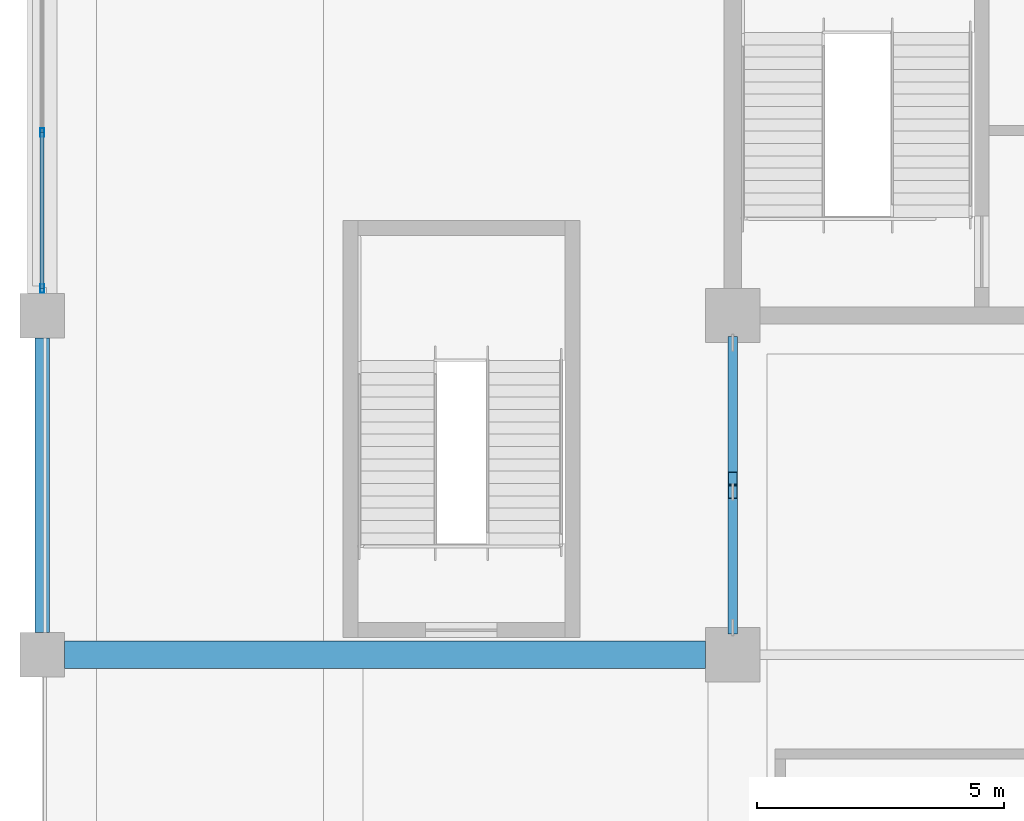
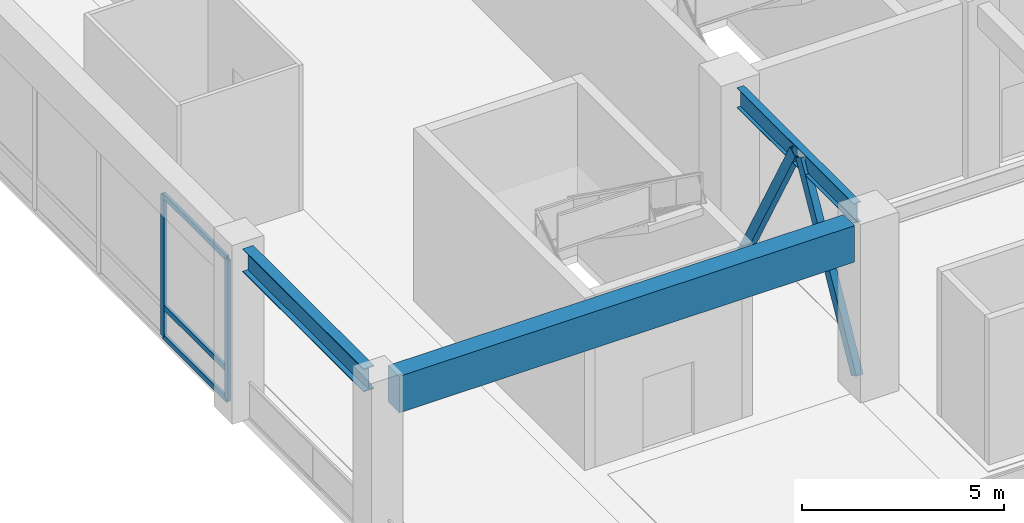
# One storey, part 30 of 117: 7 members, 3 beams, 1 element without a shape of its own.
"""IFC4 building model written with IfcOpenShell, lengths in metres."""

from ifc_helpers import new_model, si_unit, direction, frame, origin, origin_2d, place, context, subcontext, project, spatial, rectangle, hollow_rectangle, i_section, extrude, material, material_profile, profile_set, type_object, element, aggregate, save


model = new_model("IFC4")

# Units and contexts
model_context = context("Model", 3, precision=1e-05, world=origin(), true_north=direction((0.0, 1.0)))
body_context = subcontext(model_context, "Body", "Model", "MODEL_VIEW")
ifc_project = project(units=[si_unit("LENGTHUNIT", "METRE"), si_unit("AREAUNIT", "SQUARE_METRE"), si_unit("VOLUMEUNIT", "CUBIC_METRE"), si_unit("PLANEANGLEUNIT", "RADIAN"), si_unit("MASSUNIT", "GRAM", prefix="KILO")], contexts=[model_context])

# Site, building, storey
site_placement = place(None, origin())
site = spatial("IfcSite", under=ifc_project, at=site_placement, CompositionType="ELEMENT")
building_placement = place(site_placement, origin())
building = spatial("IfcBuilding", under=site, at=building_placement, Name="Linyun Crest Stadium", CompositionType="ELEMENT")
storey_placement = place(building_placement, frame((0.0, 0.0, 6.0)))
storey = spatial("IfcBuildingStorey", under=building, at=storey_placement, Name="L02", CompositionType="ELEMENT", Elevation=6.0)

# Beams
ifc_material_1 = material(Name="Steel Q355C", Category="steel")
ifc_material_profile_1 = material_profile(ifc_material_1, i_section(OverallWidth=0.199951171875, OverallDepth=0.60009765625, WebThickness=0.010986328125, FlangeThickness=0.01708984375, at=origin_2d()), Name="HN 600x200")
ifc_profile_set_1 = profile_set([ifc_material_profile_1], Name="Steel Q355C")
beam_type_1 = type_object("IfcBeamType", Name="B11", PredefinedType="BEAM", material=ifc_profile_set_1)
beam_1_placement = place(storey_placement, frame((-84.0, -45.449951171875, 4.89990234375), z_axis=(0.0, 1.0, 0.0), x_axis=(-1.0, 0.0, 0.0)))
element("IfcBeam", 1, at=beam_1_placement, inside=storey, type_object=beam_type_1, Name="Frame beam B11 L02 205", PredefinedType="BEAM", context=body_context, shape_type="SweptSolid", body=[
    extrude(i_section(OverallWidth=0.199951171875, OverallDepth=0.60009765625, WebThickness=0.010986328125, FlangeThickness=0.01708984375, at=origin_2d()), origin(), (0.0, 0.0, 1.0), 5.77490234375),
])
ifc_material_2 = material(Name="Steel Q355C", Category="steel")
ifc_material_profile_2 = material_profile(ifc_material_2, i_section(OverallWidth=0.300048828125, OverallDepth=0.699951171875, WebThickness=0.012939453125, FlangeThickness=0.02392578125, at=origin_2d()), Name="HN 700x300")
ifc_profile_set_2 = profile_set([ifc_material_profile_2], Name="Steel Q355C")
beam_type_2 = type_object("IfcBeamType", Name="B12", PredefinedType="BEAM", material=ifc_profile_set_2)
beam_2_placement = place(storey_placement, frame((-98.0, -45.550048828125, 4.85009765625), z_axis=(0.0, 1.0, 0.0), x_axis=(-1.0, 0.0, 0.0)))
element("IfcBeam", 2, at=beam_2_placement, inside=storey, type_object=beam_type_2, Name="Frame beam B12 L02 198", PredefinedType="BEAM", context=body_context, shape_type="SweptSolid", body=[
    extrude(i_section(OverallWidth=0.300048828125, OverallDepth=0.699951171875, WebThickness=0.012939453125, FlangeThickness=0.02392578125, at=origin_2d()), origin(), (0.0, 0.0, 1.0), 5.97509765625),
])

# Members
ifc_material_3 = material(Name="Steel Q355C", Category="steel")
ifc_material_profile_3 = material_profile(ifc_material_3, hollow_rectangle(XDim=0.199951171875, YDim=0.300048828125, WallThickness=0.011962890625, at=origin_2d()), Name="RHS 300x200x12")
ifc_profile_set_3 = profile_set([ifc_material_profile_3], Name="Steel Q355C")
member_type_1 = type_object("IfcMemberType", Name="BR03", PredefinedType="BRACE", material=ifc_profile_set_3)
member_1_placement = place(storey_placement, frame((-84.0, -45.449951171875, 0.0), z_axis=(0.0, 0.486887471592, 0.8734647045), x_axis=(-1.0, 0.0, 0.0)))
element("IfcMember", 3, at=member_1_placement, inside=storey, type_object=member_type_1, Name="Frame brace BR03 L02 3", PredefinedType="BRACE", context=body_context, shape_type="SweptSolid", body=[
    extrude(hollow_rectangle(XDim=0.199951171875, YDim=0.300048828125, WallThickness=0.011962890625, at=origin_2d()), origin(), (0.0, 0.0, 1.0), 5.64404296875),
])
member_2_placement = place(storey_placement, frame((-84.0, -39.675048828125, 0.0), z_axis=(0.0, -0.486755448437, 0.873538283887), x_axis=(1.0, 0.0, 0.0)))
element("IfcMember", 4, at=member_2_placement, inside=storey, type_object=member_type_1, Name="Frame brace BR03 L02 4", PredefinedType="BRACE", context=body_context, shape_type="SweptSolid", body=[
    extrude(hollow_rectangle(XDim=0.199951171875, YDim=0.300048828125, WallThickness=0.011962890625, at=origin_2d()), origin(), (0.0, 0.0, 1.0), 5.6435546875),
])

# Curtain wall, members
ifc_material_4 = material(Name="Verdigris steel and low-E curtain wall assembly", Category="steel")
curtain_wall_type = type_object("IfcCurtainWallType", Name="MCW01", PredefinedType="NOTDEFINED", material=ifc_material_4)
curtain_wall_placement = place(storey_placement, origin())
curtain_wall = element("IfcCurtainWall", 5, at=curtain_wall_placement, inside=storey, type_object=curtain_wall_type, Name="CWR-073", PredefinedType="NOTDEFINED")
ifc_material_5 = material(Name="Verdigris painted steel Q355B mullion", Category="steel")
ifc_material_profile_4 = material_profile(ifc_material_5, hollow_rectangle(XDim=0.080078125, YDim=0.179931640625, WallThickness=0.006103515625, at=origin_2d()), Name="RHS 180x80x6")
ifc_profile_set_4 = profile_set([ifc_material_profile_4], Name="Verdigris painted steel Q355B mullion")
member_type_2 = type_object("IfcMemberType", Name="ML02", PredefinedType="MULLION", material=ifc_profile_set_4)
member_3_placement = place(storey_placement, frame((-98.0, -38.574951171875, 0.0), z_axis=(0.0, 0.0, 1.0), x_axis=(-1.0, 0.0, 0.0)))
member_3 = element("IfcMember", 6, at=member_3_placement, type_object=member_type_2, Name="CWR-073 mullion 1", PredefinedType="MULLION", context=body_context, shape_type="SweptSolid", body=[
    extrude(hollow_rectangle(XDim=0.080078125, YDim=0.179931640625, WallThickness=0.006103515625, at=origin_2d()), origin(), (0.0, 0.0, 1.0), 4.25),
])
member_4_placement = place(storey_placement, frame((-98.0, -35.412109375, 0.0), z_axis=(0.0, 0.0, 1.0), x_axis=(-1.0, 0.0, 0.0)))
member_4 = element("IfcMember", 7, at=member_4_placement, type_object=member_type_2, Name="CWR-073 mullion 2", PredefinedType="MULLION", context=body_context, shape_type="SweptSolid", body=[
    extrude(hollow_rectangle(XDim=0.080078125, YDim=0.179931640625, WallThickness=0.006103515625, at=origin_2d()), origin(), (0.0, 0.0, 1.0), 4.25),
])

# Beam
ifc_material_6 = material(Name="Concrete C50", Category="concrete")
ifc_material_profile_5 = material_profile(ifc_material_6, rectangle(XDim=0.550048828125, YDim=1.10009765625, at=origin_2d()), Name="RCB 1100x550")
ifc_profile_set_5 = profile_set([ifc_material_profile_5], Name="Concrete C50")
beam_type_3 = type_object("IfcBeamType", Name="TB01", PredefinedType="USERDEFINED", material=ifc_profile_set_5)
beam_3_placement = place(storey_placement, frame((-97.550048828125, -46.0, 4.64990234375), z_axis=(1.0, 0.0, 0.0), x_axis=(0.0, 1.0, 0.0)))
element("IfcBeam", 8, at=beam_3_placement, inside=storey, type_object=beam_type_3, Name="Frame beam TB01 L02 169", ObjectType="GIRDER", PredefinedType="USERDEFINED", context=body_context, shape_type="SweptSolid", body=[
    extrude(rectangle(XDim=0.550048828125, YDim=1.10009765625, at=origin_2d()), origin(), (0.0, 0.0, 1.0), 13.0),
])

# Member
ifc_material_7 = material(Name="Aluminium thermally broken transom", Category="aluminium")
ifc_material_profile_6 = material_profile(ifc_material_7, hollow_rectangle(XDim=0.080078125, YDim=0.159912109375, WallThickness=0.006103515625, at=origin_2d()), Name="RHS 160x80x6")
ifc_profile_set_6 = profile_set([ifc_material_profile_6], Name="Aluminium thermally broken transom")
member_type_3 = type_object("IfcMemberType", Name="TR01", PredefinedType="USERDEFINED", material=ifc_profile_set_6)
member_5_placement = place(storey_placement, frame((-98.0, -38.574951171875, 0.0), z_axis=(0.0, 1.0, 0.0), x_axis=(-1.0, 0.0, 0.0)))
member_5 = element("IfcMember", 9, at=member_5_placement, type_object=member_type_3, Name="CWR-073 transom 1.1", ObjectType="TRANSOM", PredefinedType="USERDEFINED", context=body_context, shape_type="SweptSolid", body=[
    extrude(hollow_rectangle(XDim=0.080078125, YDim=0.159912109375, WallThickness=0.006103515625, at=origin_2d()), origin(), (0.0, 0.0, 1.0), 3.162841796875),
])

member_6_placement = place(storey_placement, frame((-98.0, -38.574951171875, 0.89990234375), z_axis=(0.0, 1.0, 0.0), x_axis=(-1.0, 0.0, 0.0)))
member_6 = element("IfcMember", 10, at=member_6_placement, type_object=member_type_3, Name="CWR-073 transom 1.2", ObjectType="TRANSOM", PredefinedType="USERDEFINED", context=body_context, shape_type="SweptSolid", body=[
    extrude(hollow_rectangle(XDim=0.080078125, YDim=0.159912109375, WallThickness=0.006103515625, at=origin_2d()), origin(), (0.0, 0.0, 1.0), 3.162841796875),
])

member_7_placement = place(storey_placement, frame((-98.0, -38.574951171875, 4.25), z_axis=(0.0, 1.0, 0.0), x_axis=(-1.0, 0.0, 0.0)))
member_7 = element("IfcMember", 11, at=member_7_placement, type_object=member_type_3, Name="CWR-073 transom 1.3", ObjectType="TRANSOM", PredefinedType="USERDEFINED", context=body_context, shape_type="SweptSolid", body=[
    extrude(hollow_rectangle(XDim=0.080078125, YDim=0.159912109375, WallThickness=0.006103515625, at=origin_2d()), origin(), (0.0, 0.0, 1.0), 3.162841796875),
])

aggregate(curtain_wall, [member_3, member_4, member_5, member_6, member_7])

save(model, "model.ifc")
